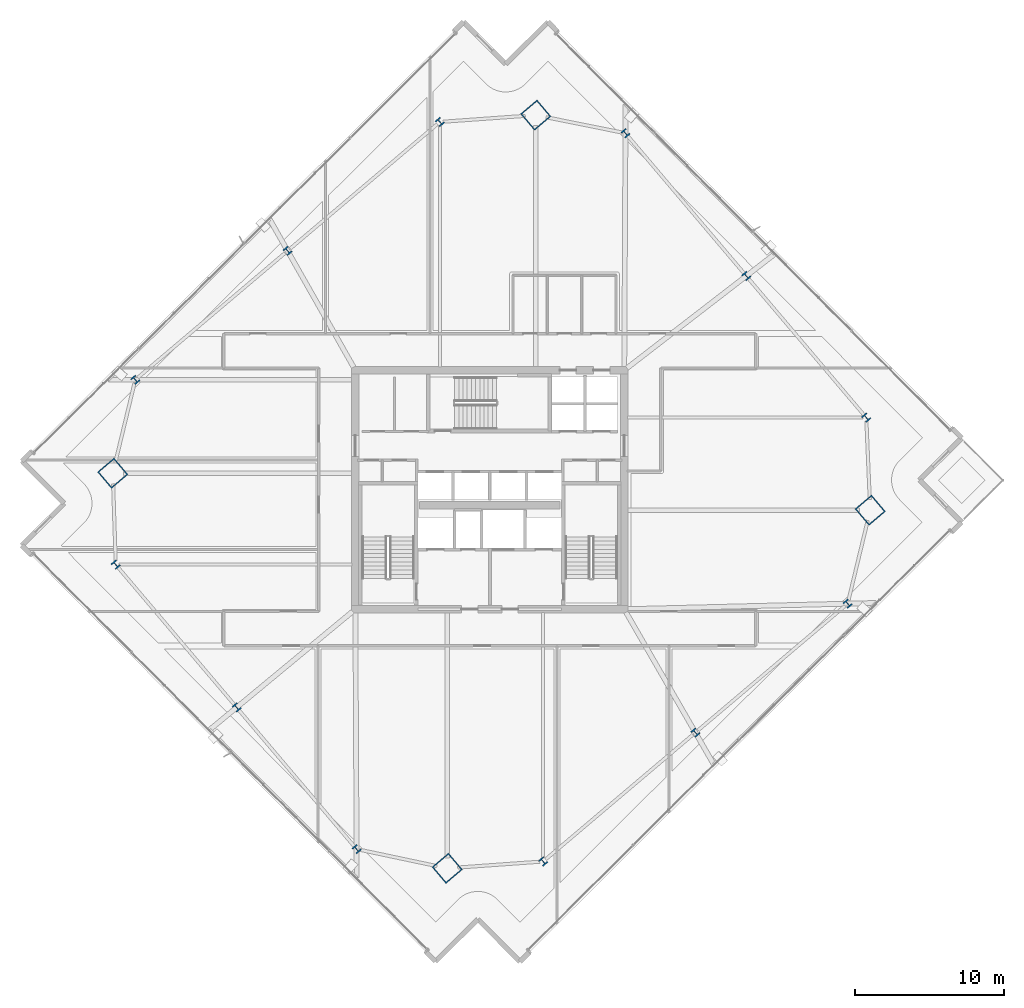
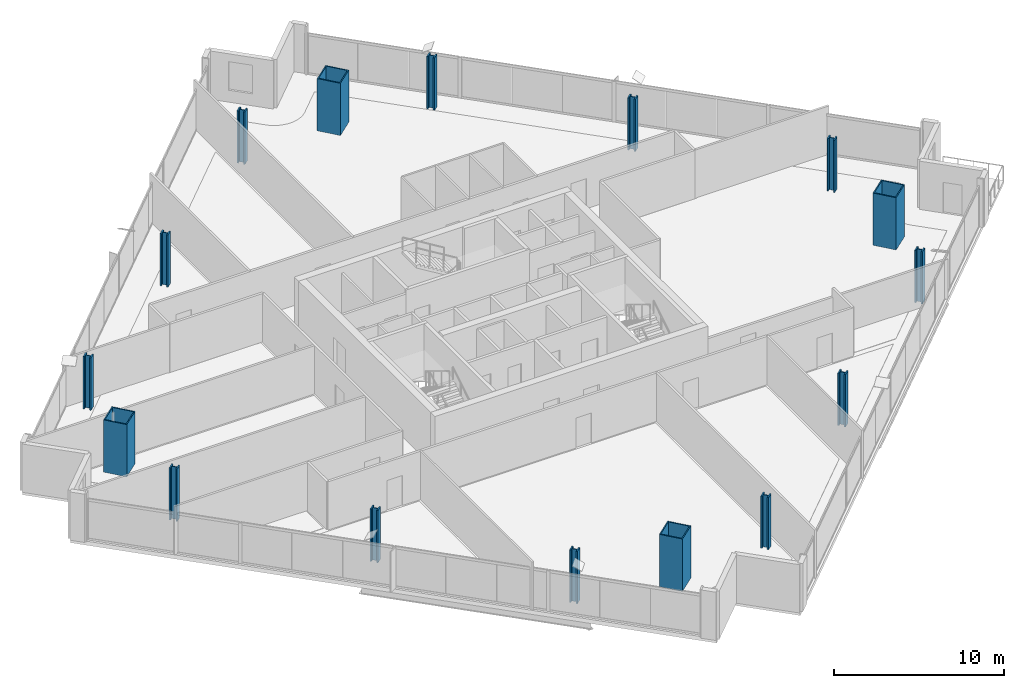
# One storey, part 1 of 32: 16 columns.
"""IFC4 building model written with IfcOpenShell, lengths in metres."""

import ifcopenshell
import ifcopenshell.guid

model = None  # the IFC model being written
_history = None  # IfcOwnerHistory: only IFC2X3 demands one
_inside = {}  # id of a spatial element -> (the spatial element, [elements in it])
_under = {}  # id of a project, library or spatial element -> (it, [spatial elements below it])
_declared = {}  # id of a project -> (the project, [libraries it declares])
_typed = {}  # id of a type object -> (the type object, [elements of that type])
_made_of = {}  # id of a material, layer set ... -> (it, [elements and type objects made of it])


def new_model(schema):
    """Start an empty IFC model of exactly this schema.

    Asked for "IFC4X3", IfcOpenShell would pick the latest addendum, in which some entities
    have other attributes; the version numbers below select the first issue.
    IFC2X3 requires an IfcOwnerHistory on every rooted entity: one is made here for all.
    """
    global model, _history
    if schema == "IFC4X3":
        model = ifcopenshell.file(schema_version=(4, 3, 0, 0))
    else:
        model = ifcopenshell.file(schema=schema)
    _inside.clear()
    _under.clear()
    _declared.clear()
    _typed.clear()
    _made_of.clear()
    _history = None
    if model.schema == "IFC2X3":
        org = make("IfcOrganization", Name="unknown")
        user = make(
            "IfcPersonAndOrganization",
            ThePerson=make("IfcPerson", FamilyName="unknown"),
            TheOrganization=org,
        )
        app = make(
            "IfcApplication",
            ApplicationDeveloper=org,
            Version="unknown",
            ApplicationFullName="unknown",
            ApplicationIdentifier="unknown",
        )
        _history = make(
            "IfcOwnerHistory",
            OwningUser=user,
            OwningApplication=app,
            ChangeAction="ADDED",
            CreationDate=0,
        )
    return model


def make(cls, **values):
    """One entity of the class cls with the attributes given. An attribute that is None is left unset."""
    return model.create_entity(
        cls, **{name: value for name, value in values.items() if value is not None}
    )


def rooted(cls, **values):
    """An entity with a GlobalId (a new one), such as an element, a storey or a relation."""
    return make(cls, GlobalId=ifcopenshell.guid.new(), OwnerHistory=_history, **values)


def si_unit(unit_type, name, prefix=None):
    """IfcSIUnit, for example si_unit("LENGTHUNIT", "METRE", prefix="MILLI")."""
    return make("IfcSIUnit", UnitType=unit_type, Prefix=prefix, Name=name)


def assignment(units):
    """IfcUnitAssignment: the units of a project."""
    return None if units is None else make("IfcUnitAssignment", Units=units)


def point(xyz):
    """IfcCartesianPoint."""
    return None if xyz is None else make("IfcCartesianPoint", Coordinates=xyz)


def direction(xyz):
    """IfcDirection."""
    return None if xyz is None else make("IfcDirection", DirectionRatios=xyz)


def frame(location, z_axis=None, x_axis=None):
    """IfcAxis2Placement3D, a coordinate frame: its origin and axes. An axis left out is left unset."""
    return make(
        "IfcAxis2Placement3D",
        Location=point(location),
        Axis=direction(z_axis),
        RefDirection=direction(x_axis),
    )


def frame_2d(location, x_axis=None):
    """IfcAxis2Placement2D, a coordinate frame in the plane: its origin and x axis."""
    return make(
        "IfcAxis2Placement2D", Location=point(location), RefDirection=direction(x_axis)
    )


def origin():
    """The frame at (0, 0, 0) with its axes left unset."""
    return frame((0.0, 0.0, 0.0))


def origin_2d():
    """The frame at (0, 0) in the plane with its x axis left unset."""
    return frame_2d((0.0, 0.0))


def place(relative_to, where):
    """IfcLocalPlacement: puts the frame where relative to a parent placement (None: the world)."""
    return make(
        "IfcLocalPlacement", PlacementRelTo=relative_to, RelativePlacement=where
    )


def context(
    kind, dimensions, precision=None, world=None, true_north=None, identifier=None
):
    """IfcGeometricRepresentationContext, for example the 3D "Model" context."""
    return make(
        "IfcGeometricRepresentationContext",
        ContextIdentifier=identifier,
        ContextType=kind,
        CoordinateSpaceDimension=dimensions,
        Precision=precision,
        WorldCoordinateSystem=world,
        TrueNorth=true_north,
    )


def subcontext(parent, identifier, kind, view, scale=None):
    """IfcGeometricRepresentationSubContext, for example "Body" below "Model"."""
    return make(
        "IfcGeometricRepresentationSubContext",
        ContextIdentifier=identifier,
        ContextType=kind,
        ParentContext=parent,
        TargetScale=scale,
        TargetView=view,
    )


def project(units=None, contexts=None):
    """IfcProject with its units and contexts."""
    return rooted(
        "IfcProject",
        Name="project",
        RepresentationContexts=contexts,
        UnitsInContext=assignment(units),
    )


def spatial(cls, under=None, at=None, **own):
    """A site, building, storey or space (cls), placed at a placement, below another one or the project."""
    s = rooted(cls, ObjectPlacement=at, **own)
    if under is not None:
        _under.setdefault(under.id(), (under, []))[1].append(s)
    return s


def profile(cls, at=None, kind="AREA", **sizes):
    """A parametric profile (cls). Its sizes go by their IFC names, for example OverallWidth=200.0."""
    return make(cls, ProfileType=kind, Position=at, **sizes)


def hollow_rectangle(**sizes):
    """IfcRectangleHollowProfileDef."""
    return profile("IfcRectangleHollowProfileDef", **sizes)


def i_section(**sizes):
    """IfcIShapeProfileDef."""
    return profile("IfcIShapeProfileDef", **sizes)


def extrude(swept, where, along, depth):
    """IfcExtrudedAreaSolid: the profile swept, set in the frame where, extruded along a direction by depth."""
    return make(
        "IfcExtrudedAreaSolid",
        SweptArea=swept,
        Position=where,
        ExtrudedDirection=direction(along),
        Depth=depth,
    )


def shape(context_of_items, identifier, shape_type, items):
    """IfcShapeRepresentation: the items that make up one representation, for example the "Body"."""
    return make(
        "IfcShapeRepresentation",
        ContextOfItems=context_of_items,
        RepresentationIdentifier=identifier,
        RepresentationType=shape_type,
        Items=items,
    )


def material(Name=None, Category=None):
    """IfcMaterial."""
    return make("IfcMaterial", Name=Name, Category=Category)


def material_profile(
    of_material, cross_section, Name=None, Category=None, Priority=None
):
    """IfcMaterialProfile: a cross section and its material."""
    return make(
        "IfcMaterialProfile",
        Name=Name,
        Material=of_material,
        Profile=cross_section,
        Priority=Priority,
        Category=Category,
    )


def profile_set(profiles, Name=None, composite=None):
    """IfcMaterialProfileSet."""
    return make(
        "IfcMaterialProfileSet",
        Name=Name,
        MaterialProfiles=profiles,
        CompositeProfile=composite,
    )


def made_of(thing, what):
    """Note that an element or type object is made of a material, layer set ...; save() writes the relation."""
    if what is not None:
        _made_of.setdefault(what.id(), (what, []))[1].append(thing)
    return thing


def type_object(cls, material=None, **own):
    """A type object (cls), such as IfcWallType, which elements share."""
    return made_of(rooted(cls, **own), material)


def element(
    cls,
    number,
    at=None,
    inside=None,
    cuts=None,
    type_object=None,
    material=None,
    context=None,
    identifier="Body",
    shape_type=None,
    held_by="IfcProductDefinitionShape",
    body=None,
    shapes=None,
    **own,
):
    """One element of the class cls, such as IfcWall. Its Tag is "e" and its number.

    at: its placement. inside: the storey or other place that contains it. cuts: it is an
    opening in that element (IfcRelVoidsElement). A single representation is given by context,
    identifier, shape_type and body (its items); several are given by shapes. held_by: the class
    of the entity that holds the representations. save() writes the other relations.
    """
    e = rooted(cls, Tag="e%d" % number, ObjectPlacement=at, **own)
    if body is not None:
        shapes = [shape(context, identifier, shape_type, body)]
    if shapes is not None:
        e.Representation = make(held_by, Representations=shapes)
    if inside is not None:
        _inside.setdefault(inside.id(), (inside, []))[1].append(e)
    if cuts is not None:
        rooted(
            "IfcRelVoidsElement", RelatingBuildingElement=cuts, RelatedOpeningElement=e
        )
    if type_object is not None:
        _typed.setdefault(type_object.id(), (type_object, []))[1].append(e)
    return made_of(e, material)


def aggregate(whole, parts):
    """IfcRelAggregates: a whole, such as a stair, and the parts it consists of."""
    return rooted("IfcRelAggregates", RelatingObject=whole, RelatedObjects=parts)


def save(model, path):
    """Write the relations noted so far, then the file.

    IfcRelAggregates (storeys below a building ...), IfcRelContainedInSpatialStructure (elements
    in a storey), IfcRelDefinesByType, IfcRelAssociatesMaterial and IfcRelDeclares: one each for
    every whole, place, type object, material and project.
    """
    for whole, parts in _under.values():
        aggregate(whole, parts)
    for where, things in _inside.values():
        rooted(
            "IfcRelContainedInSpatialStructure",
            RelatedElements=things,
            RelatingStructure=where,
        )
    for kind, things in _typed.values():
        rooted("IfcRelDefinesByType", RelatedObjects=things, RelatingType=kind)
    for what, things in _made_of.values():
        rooted("IfcRelAssociatesMaterial", RelatedObjects=things, RelatingMaterial=what)
    for by, libraries in _declared.values():
        rooted("IfcRelDeclares", RelatingContext=by, RelatedDefinitions=libraries)
    model.write(path)


model = new_model("IFC4")

# Units and contexts
model_context = context("Model", 3, precision=1e-05, world=origin(), true_north=direction((0.0, 1.0)))
body_context = subcontext(model_context, "Body", "Model", "MODEL_VIEW")
ifc_project = project(units=[si_unit("LENGTHUNIT", "METRE"), si_unit("AREAUNIT", "SQUARE_METRE"), si_unit("VOLUMEUNIT", "CUBIC_METRE"), si_unit("PLANEANGLEUNIT", "RADIAN"), si_unit("MASSUNIT", "GRAM", prefix="KILO")], contexts=[model_context])

# Site, building, storey
site_placement = place(None, origin())
site = spatial("IfcSite", under=ifc_project, at=site_placement, CompositionType="ELEMENT")
building_placement = place(site_placement, origin())
building = spatial("IfcBuilding", under=site, at=building_placement, Name="Haldenkirk Collegiate Tower", CompositionType="ELEMENT")
storey_placement = place(building_placement, frame((0.0, 0.0, 178.199951171875)))
storey = spatial("IfcBuildingStorey", under=building, at=storey_placement, Name="L44", CompositionType="ELEMENT", Elevation=178.199951171875)

# Columns
ifc_material_1 = material(Name="Steel ASTM A913 Grade 65", Category="steel")
ifc_material_profile_1 = material_profile(ifc_material_1, i_section(OverallWidth=0.431884765625, OverallDepth=0.498046875, WebThickness=0.0556640625, FlangeThickness=0.0888671875, at=origin_2d()), Name="W14X500")
ifc_profile_set_1 = profile_set([ifc_material_profile_1], Name="Steel ASTM A913 Grade 65")
column_type_1 = type_object("IfcColumnType", Name="COL-INT-W14X500", PredefinedType="COLUMN", material=ifc_profile_set_1)
for number, where, z_axis, x_axis, name in (
    (1, (39.568603515625, 1.113525390625, 0.0), (0.0, 0.0, 1.0), (0.763232469783, 0.646123979643, 0.0), "L44 perimeter gravity column PC-S1"),
    (2, (49.762451171875, 9.7431640625, 0.0), (0.0, 0.0, 1.0), (0.763232469783, 0.646123979643, 0.0), "L44 perimeter gravity column PC-S2"),
    (3, (59.956298828125, 18.372802734375, 0.0), (0.0, 0.0, 1.0), (0.763232469783, 0.646123979643, 0.0), "L44 perimeter gravity column PC-S3"),
    (4, (61.199462890625, 30.82421875, 0.0), (0.0, 0.0, 1.0), (0.763232469783, 0.646123979643, 0.0), "L44 perimeter gravity column PC-E1"),
    (5, (53.17138671875, 40.307373046875, 0.0), (0.0, 0.0, 1.0), (0.763232469783, 0.646123979643, 0.0), "L44 perimeter gravity column PC-E2"),
    (6, (45.079833984375, 49.865234375, 0.0), (0.0, 0.0, 1.0), (0.763232469783, 0.646123979643, 0.0), "L44 perimeter gravity column PC-E3"),
    (7, (32.657470703125, 50.619384765625, 0.0), (0.0, 0.0, 1.0), (0.763232469783, 0.646123979643, 0.0), "L44 perimeter gravity column PC-N1"),
    (8, (22.463623046875, 41.98974609375, 0.0), (0.0, 0.0, 1.0), (0.763232469783, 0.646123979643, 0.0), "L44 perimeter gravity column PC-N2"),
    (9, (12.27001953125, 33.360107421875, 0.0), (0.0, 0.0, 1.0), (0.763232469783, 0.646123979643, 0.0), "L44 perimeter gravity column PC-N3"),
    (10, (10.96337890625, 20.9833984375, 0.0), (0.0, 0.0, 1.0), (0.763232469783, 0.646123979643, 0.0), "L44 perimeter gravity column PC-W1"),
    (11, (19.0546875, 11.425537109375, 0.0), (0.0, 0.0, 1.0), (0.763232469783, 0.646123979643, 0.0), "L44 perimeter gravity column PC-W2"),
    (12, (27.0830078125, 1.9423828125, 0.0), (0.0, 0.0, 1.0), (0.763232469783, 0.646123979643, 0.0), "L44 perimeter gravity column PC-W3"),
):
    element("IfcColumn", number, at=place(storey_placement, frame(where, z_axis=z_axis, x_axis=x_axis)), inside=storey, type_object=column_type_1, Name=name, PredefinedType="COLUMN", context=body_context, shape_type="SweptSolid", body=[
        extrude(i_section(OverallWidth=0.431884765625, OverallDepth=0.498046875, WebThickness=0.0556640625, FlangeThickness=0.0888671875, at=origin_2d()), origin(), (0.0, 0.0, 1.0), 3.75),
    ])
ifc_material_2 = material(Name="Steel ASTM A572 Grade 50", Category="steel")
ifc_material_profile_2 = material_profile(ifc_material_2, hollow_rectangle(XDim=1.449951171875, YDim=1.449951171875, WallThickness=0.070068359375, at=origin_2d()), Name="BOX1450X1450X70")
ifc_profile_set_2 = profile_set([ifc_material_profile_2], Name="Steel ASTM A572 Grade 50")
column_type_2 = type_object("IfcColumnType", Name="COL-MEGA-BOX1450X1450X70", PredefinedType="COLUMN", material=ifc_profile_set_2)
for number, where, z_axis, x_axis, name in (
    (13, (33.149169921875, 0.65771484375, 0.0), (0.0, 0.0, 1.0), (0.763232469783, 0.646123979643, 0.0), "L44 corner mega-column MC1"),
    (14, (61.465087890625, 24.62890625, 0.0), (0.0, 0.0, 1.0), (0.763232469783, 0.646123979643, 0.0), "L44 corner mega-column MC2"),
    (15, (39.076904296875, 51.074951171875, 0.0), (0.0, 0.0, 1.0), (0.763232469783, 0.646123979643, 0.0), "L44 corner mega-column MC3"),
    (16, (10.760986328125, 27.103759765625, 0.0), (0.0, 0.0, 1.0), (0.763232469783, 0.646123979643, 0.0), "L44 corner mega-column MC4"),
):
    element("IfcColumn", number, at=place(storey_placement, frame(where, z_axis=z_axis, x_axis=x_axis)), inside=storey, type_object=column_type_2, Name=name, PredefinedType="COLUMN", context=body_context, shape_type="SweptSolid", body=[
        extrude(hollow_rectangle(XDim=1.449951171875, YDim=1.449951171875, WallThickness=0.070068359375, at=origin_2d()), origin(), (0.0, 0.0, 1.0), 3.75),
    ])

save(model, "model.ifc")
